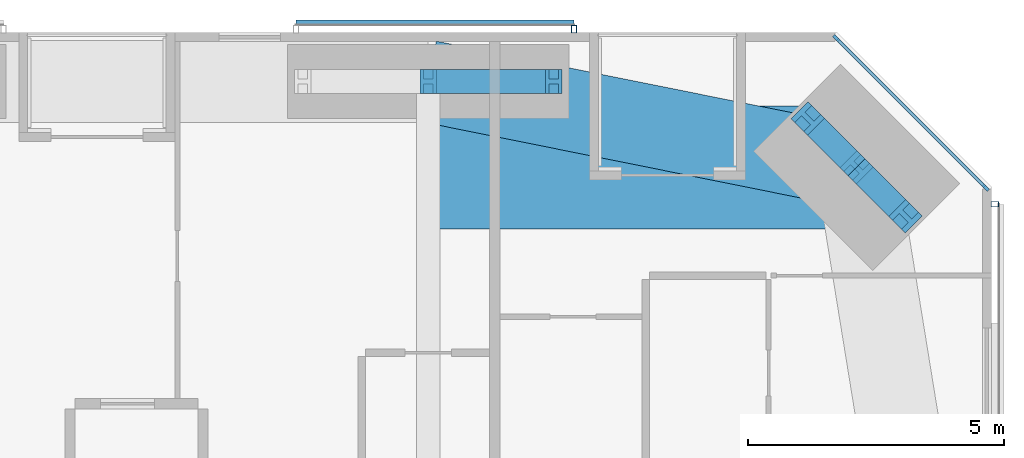
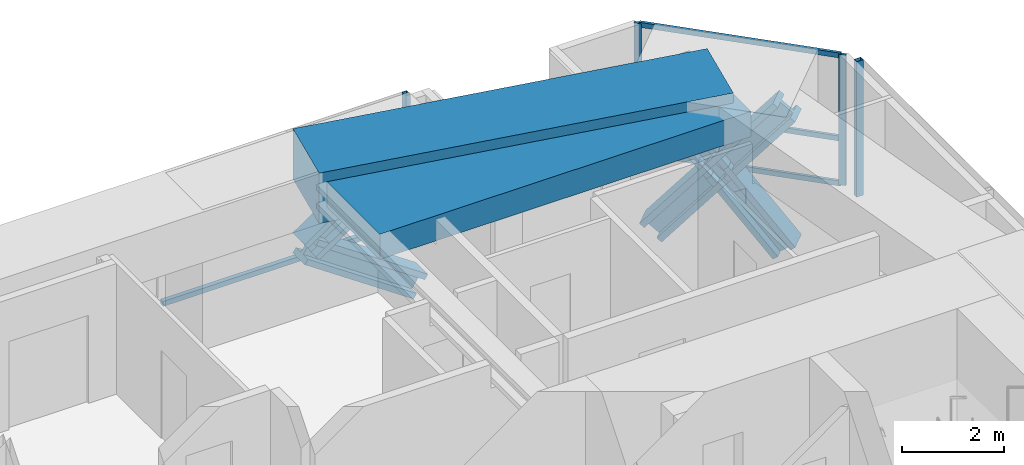
# One storey, part 15 of 24: 14 members, 2 beams, 3 elements without a shape of their own.
"""IFC4 building model written with IfcOpenShell, lengths in metres."""

import ifcopenshell
import ifcopenshell.guid

model = None  # the IFC model being written
_history = None  # IfcOwnerHistory: only IFC2X3 demands one
_inside = {}  # id of a spatial element -> (the spatial element, [elements in it])
_under = {}  # id of a project, library or spatial element -> (it, [spatial elements below it])
_declared = {}  # id of a project -> (the project, [libraries it declares])
_typed = {}  # id of a type object -> (the type object, [elements of that type])
_made_of = {}  # id of a material, layer set ... -> (it, [elements and type objects made of it])


def new_model(schema):
    """Start an empty IFC model of exactly this schema.

    Asked for "IFC4X3", IfcOpenShell would pick the latest addendum, in which some entities
    have other attributes; the version numbers below select the first issue.
    IFC2X3 requires an IfcOwnerHistory on every rooted entity: one is made here for all.
    """
    global model, _history
    if schema == "IFC4X3":
        model = ifcopenshell.file(schema_version=(4, 3, 0, 0))
    else:
        model = ifcopenshell.file(schema=schema)
    _inside.clear()
    _under.clear()
    _declared.clear()
    _typed.clear()
    _made_of.clear()
    _history = None
    if model.schema == "IFC2X3":
        org = make("IfcOrganization", Name="unknown")
        user = make(
            "IfcPersonAndOrganization",
            ThePerson=make("IfcPerson", FamilyName="unknown"),
            TheOrganization=org,
        )
        app = make(
            "IfcApplication",
            ApplicationDeveloper=org,
            Version="unknown",
            ApplicationFullName="unknown",
            ApplicationIdentifier="unknown",
        )
        _history = make(
            "IfcOwnerHistory",
            OwningUser=user,
            OwningApplication=app,
            ChangeAction="ADDED",
            CreationDate=0,
        )
    return model


def make(cls, **values):
    """One entity of the class cls with the attributes given. An attribute that is None is left unset."""
    return model.create_entity(
        cls, **{name: value for name, value in values.items() if value is not None}
    )


def rooted(cls, **values):
    """An entity with a GlobalId (a new one), such as an element, a storey or a relation."""
    return make(cls, GlobalId=ifcopenshell.guid.new(), OwnerHistory=_history, **values)


def si_unit(unit_type, name, prefix=None):
    """IfcSIUnit, for example si_unit("LENGTHUNIT", "METRE", prefix="MILLI")."""
    return make("IfcSIUnit", UnitType=unit_type, Prefix=prefix, Name=name)


def assignment(units):
    """IfcUnitAssignment: the units of a project."""
    return None if units is None else make("IfcUnitAssignment", Units=units)


def point(xyz):
    """IfcCartesianPoint."""
    return None if xyz is None else make("IfcCartesianPoint", Coordinates=xyz)


def direction(xyz):
    """IfcDirection."""
    return None if xyz is None else make("IfcDirection", DirectionRatios=xyz)


def frame(location, z_axis=None, x_axis=None):
    """IfcAxis2Placement3D, a coordinate frame: its origin and axes. An axis left out is left unset."""
    return make(
        "IfcAxis2Placement3D",
        Location=point(location),
        Axis=direction(z_axis),
        RefDirection=direction(x_axis),
    )


def frame_2d(location, x_axis=None):
    """IfcAxis2Placement2D, a coordinate frame in the plane: its origin and x axis."""
    return make(
        "IfcAxis2Placement2D", Location=point(location), RefDirection=direction(x_axis)
    )


def origin():
    """The frame at (0, 0, 0) with its axes left unset."""
    return frame((0.0, 0.0, 0.0))


def origin_2d():
    """The frame at (0, 0) in the plane with its x axis left unset."""
    return frame_2d((0.0, 0.0))


def place(relative_to, where):
    """IfcLocalPlacement: puts the frame where relative to a parent placement (None: the world)."""
    return make(
        "IfcLocalPlacement", PlacementRelTo=relative_to, RelativePlacement=where
    )


def context(
    kind, dimensions, precision=None, world=None, true_north=None, identifier=None
):
    """IfcGeometricRepresentationContext, for example the 3D "Model" context."""
    return make(
        "IfcGeometricRepresentationContext",
        ContextIdentifier=identifier,
        ContextType=kind,
        CoordinateSpaceDimension=dimensions,
        Precision=precision,
        WorldCoordinateSystem=world,
        TrueNorth=true_north,
    )


def subcontext(parent, identifier, kind, view, scale=None):
    """IfcGeometricRepresentationSubContext, for example "Body" below "Model"."""
    return make(
        "IfcGeometricRepresentationSubContext",
        ContextIdentifier=identifier,
        ContextType=kind,
        ParentContext=parent,
        TargetScale=scale,
        TargetView=view,
    )


def project(units=None, contexts=None):
    """IfcProject with its units and contexts."""
    return rooted(
        "IfcProject",
        Name="project",
        RepresentationContexts=contexts,
        UnitsInContext=assignment(units),
    )


def spatial(cls, under=None, at=None, **own):
    """A site, building, storey or space (cls), placed at a placement, below another one or the project."""
    s = rooted(cls, ObjectPlacement=at, **own)
    if under is not None:
        _under.setdefault(under.id(), (under, []))[1].append(s)
    return s


def profile(cls, at=None, kind="AREA", **sizes):
    """A parametric profile (cls). Its sizes go by their IFC names, for example OverallWidth=200.0."""
    return make(cls, ProfileType=kind, Position=at, **sizes)


def rectangle(**sizes):
    """IfcRectangleProfileDef."""
    return profile("IfcRectangleProfileDef", **sizes)


def hollow_rectangle(**sizes):
    """IfcRectangleHollowProfileDef."""
    return profile("IfcRectangleHollowProfileDef", **sizes)


def i_section(**sizes):
    """IfcIShapeProfileDef."""
    return profile("IfcIShapeProfileDef", **sizes)


def extrude(swept, where, along, depth):
    """IfcExtrudedAreaSolid: the profile swept, set in the frame where, extruded along a direction by depth."""
    return make(
        "IfcExtrudedAreaSolid",
        SweptArea=swept,
        Position=where,
        ExtrudedDirection=direction(along),
        Depth=depth,
    )


def shape(context_of_items, identifier, shape_type, items):
    """IfcShapeRepresentation: the items that make up one representation, for example the "Body"."""
    return make(
        "IfcShapeRepresentation",
        ContextOfItems=context_of_items,
        RepresentationIdentifier=identifier,
        RepresentationType=shape_type,
        Items=items,
    )


def material(Name=None, Category=None):
    """IfcMaterial."""
    return make("IfcMaterial", Name=Name, Category=Category)


def material_profile(
    of_material, cross_section, Name=None, Category=None, Priority=None
):
    """IfcMaterialProfile: a cross section and its material."""
    return make(
        "IfcMaterialProfile",
        Name=Name,
        Material=of_material,
        Profile=cross_section,
        Priority=Priority,
        Category=Category,
    )


def profile_set(profiles, Name=None, composite=None):
    """IfcMaterialProfileSet."""
    return make(
        "IfcMaterialProfileSet",
        Name=Name,
        MaterialProfiles=profiles,
        CompositeProfile=composite,
    )


def made_of(thing, what):
    """Note that an element or type object is made of a material, layer set ...; save() writes the relation."""
    if what is not None:
        _made_of.setdefault(what.id(), (what, []))[1].append(thing)
    return thing


def type_object(cls, material=None, **own):
    """A type object (cls), such as IfcWallType, which elements share."""
    return made_of(rooted(cls, **own), material)


def element(
    cls,
    number,
    at=None,
    inside=None,
    cuts=None,
    type_object=None,
    material=None,
    context=None,
    identifier="Body",
    shape_type=None,
    held_by="IfcProductDefinitionShape",
    body=None,
    shapes=None,
    **own,
):
    """One element of the class cls, such as IfcWall. Its Tag is "e" and its number.

    at: its placement. inside: the storey or other place that contains it. cuts: it is an
    opening in that element (IfcRelVoidsElement). A single representation is given by context,
    identifier, shape_type and body (its items); several are given by shapes. held_by: the class
    of the entity that holds the representations. save() writes the other relations.
    """
    e = rooted(cls, Tag="e%d" % number, ObjectPlacement=at, **own)
    if body is not None:
        shapes = [shape(context, identifier, shape_type, body)]
    if shapes is not None:
        e.Representation = make(held_by, Representations=shapes)
    if inside is not None:
        _inside.setdefault(inside.id(), (inside, []))[1].append(e)
    if cuts is not None:
        rooted(
            "IfcRelVoidsElement", RelatingBuildingElement=cuts, RelatedOpeningElement=e
        )
    if type_object is not None:
        _typed.setdefault(type_object.id(), (type_object, []))[1].append(e)
    return made_of(e, material)


def aggregate(whole, parts):
    """IfcRelAggregates: a whole, such as a stair, and the parts it consists of."""
    return rooted("IfcRelAggregates", RelatingObject=whole, RelatedObjects=parts)


def save(model, path):
    """Write the relations noted so far, then the file.

    IfcRelAggregates (storeys below a building ...), IfcRelContainedInSpatialStructure (elements
    in a storey), IfcRelDefinesByType, IfcRelAssociatesMaterial and IfcRelDeclares: one each for
    every whole, place, type object, material and project.
    """
    for whole, parts in _under.values():
        aggregate(whole, parts)
    for where, things in _inside.values():
        rooted(
            "IfcRelContainedInSpatialStructure",
            RelatedElements=things,
            RelatingStructure=where,
        )
    for kind, things in _typed.values():
        rooted("IfcRelDefinesByType", RelatedObjects=things, RelatingType=kind)
    for what, things in _made_of.values():
        rooted("IfcRelAssociatesMaterial", RelatedObjects=things, RelatingMaterial=what)
    for by, libraries in _declared.values():
        rooted("IfcRelDeclares", RelatingContext=by, RelatedDefinitions=libraries)
    model.write(path)


model = new_model("IFC4")

# Units and contexts
model_context = context("Model", 3, precision=1e-05, world=origin(), true_north=direction((0.0, 1.0)))
body_context = subcontext(model_context, "Body", "Model", "MODEL_VIEW")
ifc_project = project(units=[si_unit("LENGTHUNIT", "METRE"), si_unit("AREAUNIT", "SQUARE_METRE"), si_unit("VOLUMEUNIT", "CUBIC_METRE"), si_unit("PLANEANGLEUNIT", "RADIAN"), si_unit("MASSUNIT", "GRAM", prefix="KILO")], contexts=[model_context])

# Site, building, storey
site_placement = place(None, origin())
site = spatial("IfcSite", under=ifc_project, at=site_placement, CompositionType="ELEMENT")
building_placement = place(site_placement, origin())
building = spatial("IfcBuilding", under=site, at=building_placement, Name="Jalousie Tower", CompositionType="ELEMENT")
storey_placement = place(building_placement, frame((0.0, 0.0, 51.14990234375)))
storey = spatial("IfcBuildingStorey", under=building, at=storey_placement, Name="L13", CompositionType="ELEMENT", Elevation=51.14990234375)

# Curtain wall, members
ifc_material_1 = material(Name="Aluminium curtain wall", Category="aluminium")
curtain_wall_type_1 = type_object("IfcCurtainWallType", Name="CORNER WINDOW WALL", PredefinedType="USERDEFINED", material=ifc_material_1)
curtain_wall_1_placement = place(storey_placement, origin())
curtain_wall_1 = element("IfcCurtainWall", 1, at=curtain_wall_1_placement, inside=storey, type_object=curtain_wall_type_1, Name="Corner Window Wall L13 4", ObjectType="CORNER WINDOW WALL", PredefinedType="USERDEFINED")
ifc_material_2 = material(Name="Aluminium mullion", Category="aluminium")
ifc_material_profile_1 = material_profile(ifc_material_2, rectangle(XDim=0.06005859375, YDim=0.14990234375, at=origin_2d()), Name="MULLION 60x150")
ifc_profile_set_1 = profile_set([ifc_material_profile_1], Name="Aluminium mullion")
member_type_1 = type_object("IfcMemberType", Name="CORNER WINDOW WALL MULLION", PredefinedType="MULLION", material=ifc_profile_set_1)
member_1_placement = place(storey_placement, frame((45.891357421875, 34.969970703125, 0.0), z_axis=(0.0, 0.0, 1.0), x_axis=(-0.707106781187, -0.707106781187, 0.0)))
member_1 = element("IfcMember", 2, at=member_1_placement, type_object=member_type_1, Name="CW-C mullion 1", PredefinedType="MULLION", context=body_context, shape_type="SweptSolid", body=[
    extrude(rectangle(XDim=0.06005859375, YDim=0.14990234375, at=origin_2d()), origin(), (0.0, 0.0, 1.0), 3.110107421875),
])
member_2_placement = place(storey_placement, frame((42.969970703125, 37.891357421875, 0.0), z_axis=(0.0, 0.0, 1.0), x_axis=(-0.707106781187, -0.707106781187, 0.0)))
member_2 = element("IfcMember", 3, at=member_2_placement, type_object=member_type_1, Name="CW-C mullion 2", PredefinedType="MULLION", context=body_context, shape_type="SweptSolid", body=[
    extrude(rectangle(XDim=0.06005859375, YDim=0.14990234375, at=origin_2d()), origin(), (0.0, 0.0, 1.0), 3.110107421875),
])
ifc_material_3 = material(Name="Aluminium transom", Category="aluminium")
ifc_material_profile_2 = material_profile(ifc_material_3, rectangle(XDim=0.06005859375, YDim=0.1201171875, at=origin_2d()), Name="TRANSOM 60x120")
ifc_profile_set_2 = profile_set([ifc_material_profile_2], Name="Aluminium transom")
member_type_2 = type_object("IfcMemberType", Name="CORNER WINDOW WALL TRANSOM", PredefinedType="USERDEFINED", material=ifc_profile_set_2)
member_3_placement = place(storey_placement, frame((45.8701171875, 34.9912109375, 0.030029296875), z_axis=(-0.707106781187, 0.707106781187, 0.0), x_axis=(-0.707106781187, -0.707106781187, 0.0)))
member_3 = element("IfcMember", 4, at=member_3_placement, type_object=member_type_2, Name="CW-C transom 1.1", ObjectType="TRANSOM", PredefinedType="USERDEFINED", context=body_context, shape_type="SweptSolid", body=[
    extrude(rectangle(XDim=0.06005859375, YDim=0.1201171875, at=origin_2d()), origin(), (0.0, 0.0, 1.0), 4.0712890625),
])
member_4_placement = place(storey_placement, frame((45.8701171875, 34.9912109375, 1.10009765625), z_axis=(-0.707106781187, 0.707106781187, 0.0), x_axis=(-0.707106781187, -0.707106781187, 0.0)))
member_4 = element("IfcMember", 5, at=member_4_placement, type_object=member_type_2, Name="CW-C transom 1.2", ObjectType="TRANSOM", PredefinedType="USERDEFINED", context=body_context, shape_type="SweptSolid", body=[
    extrude(rectangle(XDim=0.06005859375, YDim=0.1201171875, at=origin_2d()), origin(), (0.0, 0.0, 1.0), 4.0712890625),
])
member_5_placement = place(storey_placement, frame((45.8701171875, 34.9912109375, 3.080078125), z_axis=(-0.707106781187, 0.707106781187, 0.0), x_axis=(-0.707106781187, -0.707106781187, 0.0)))
member_5 = element("IfcMember", 6, at=member_5_placement, type_object=member_type_2, Name="CW-C transom 1.3", ObjectType="TRANSOM", PredefinedType="USERDEFINED", context=body_context, shape_type="SweptSolid", body=[
    extrude(rectangle(XDim=0.06005859375, YDim=0.1201171875, at=origin_2d()), origin(), (0.0, 0.0, 1.0), 4.0712890625),
])
aggregate(curtain_wall_1, [member_1, member_2, member_3, member_4, member_5])

# Members
ifc_material_4 = material(Name="Steel ASTM A992 Grade 50", Category="steel")
ifc_material_profile_3 = material_profile(ifc_material_4, i_section(OverallWidth=0.472412109375, OverallDepth=0.5791015625, WebThickness=0.094970703125, FlangeThickness=0.1298828125, at=origin_2d()), Name="W14X808")
ifc_profile_set_3 = profile_set([ifc_material_profile_3], Name="Steel ASTM A992 Grade 50")
member_type_3 = type_object("IfcMemberType", Name="PERIMETER BRACE W14X808", PredefinedType="BRACE", material=ifc_profile_set_3)
member_6_placement = place(storey_placement, frame((44.3232421875, 34.4140625, -0.599853515625), z_axis=(-0.443718327034, 0.443718327034, 0.778606506849), x_axis=(-0.707106781187, -0.707106781187, 0.0)))
element("IfcMember", 7, at=member_6_placement, inside=storey, type_object=member_type_3, Name="Perimeter brace 08 L13 part 1", PredefinedType="BRACE", context=body_context, shape_type="SweptSolid", body=[
    extrude(i_section(OverallWidth=0.472412109375, OverallDepth=0.5791015625, WebThickness=0.094970703125, FlangeThickness=0.1298828125, at=origin_2d()), origin(), (0.0, 0.0, 1.0), 2.1513671875),
])
member_7_placement = place(storey_placement, frame((43.36865234375, 35.36865234375, 1.0751953125), z_axis=(-0.443757535686, 0.443757535686, 0.778561814529), x_axis=(-0.707106781187, -0.707106781187, 0.0)))
element("IfcMember", 8, at=member_7_placement, inside=storey, type_object=member_type_3, Name="Perimeter brace 08 L13 part 2", PredefinedType="BRACE", context=body_context, shape_type="SweptSolid", body=[
    extrude(i_section(OverallWidth=0.472412109375, OverallDepth=0.5791015625, WebThickness=0.094970703125, FlangeThickness=0.1298828125, at=origin_2d()), origin(), (0.0, 0.0, 1.0), 2.151123046875),
])
member_8_placement = place(storey_placement, frame((42.4140625, 36.3232421875, -0.599853515625), z_axis=(0.443718327034, -0.443718327034, 0.778606506849), x_axis=(0.707106781187, 0.707106781187, 0.0)))
element("IfcMember", 9, at=member_8_placement, inside=storey, type_object=member_type_3, Name="Perimeter brace 08 L13 part 3", PredefinedType="BRACE", context=body_context, shape_type="SweptSolid", body=[
    extrude(i_section(OverallWidth=0.472412109375, OverallDepth=0.5791015625, WebThickness=0.094970703125, FlangeThickness=0.1298828125, at=origin_2d()), origin(), (0.0, 0.0, 1.0), 2.1513671875),
])
member_9_placement = place(storey_placement, frame((43.36865234375, 35.36865234375, 1.0751953125), z_axis=(0.443757535686, -0.443757535686, 0.778561814529), x_axis=(0.707106781187, 0.707106781187, 0.0)))
element("IfcMember", 10, at=member_9_placement, inside=storey, type_object=member_type_3, Name="Perimeter brace 08 L13 part 4", PredefinedType="BRACE", context=body_context, shape_type="SweptSolid", body=[
    extrude(i_section(OverallWidth=0.472412109375, OverallDepth=0.5791015625, WebThickness=0.094970703125, FlangeThickness=0.1298828125, at=origin_2d()), origin(), (0.0, 0.0, 1.0), 2.151123046875),
])
for number, where, z_axis, x_axis, name in (
    (11, (35.0, 37.050048828125, 1.0751953125), (0.825539243753, 0.0, 0.564344714713), (0.0, 1.0, 0.0), "Perimeter brace 09 L13 part 2"),
    (12, (37.449951171875, 37.050048828125, -0.599853515625), (-0.825500916831, 0.0, 0.564400776321), (0.0, -1.0, 0.0), "Perimeter brace 09 L13 part 3"),
):
    element("IfcMember", number, at=place(storey_placement, frame(where, z_axis=z_axis, x_axis=x_axis)), inside=storey, type_object=member_type_3, Name=name, PredefinedType="BRACE", context=body_context, shape_type="SweptSolid", body=[
        extrude(i_section(OverallWidth=0.472412109375, OverallDepth=0.5791015625, WebThickness=0.094970703125, FlangeThickness=0.1298828125, at=origin_2d()), origin(), (0.0, 0.0, 1.0), 2.9677734375),
    ])

# Beams
ifc_material_5 = material(Name="Concrete f'c 40 MPa", Category="concrete")
ifc_material_profile_4 = material_profile(ifc_material_5, rectangle(XDim=1.60009765625, YDim=1.199951171875, at=origin_2d()), Name="RC 1600x1200")
ifc_profile_set_4 = profile_set([ifc_material_profile_4], Name="Concrete f'c 40 MPa")
beam_type_1 = type_object("IfcBeamType", Name="RC BEAM 1600x1200", PredefinedType="BEAM", material=ifc_profile_set_4)
beam_1_placement = place(storey_placement, frame((43.36865234375, 35.36865234375, 2.75), z_axis=(-0.980407585444, 0.196979609107, 0.0), x_axis=(-0.196979609107, -0.980407585444, 0.0)))
element("IfcBeam", 13, at=beam_1_placement, inside=storey, type_object=beam_type_1, Name="Edge band beam 08-09 under L14", PredefinedType="BEAM", context=body_context, shape_type="SweptSolid", body=[
    extrude(rectangle(XDim=1.60009765625, YDim=1.199951171875, at=origin_2d()), origin(), (0.0, 0.0, 1.0), 8.535888671875),
])
ifc_material_6 = material(Name="Concrete f'c 40 MPa", Category="concrete")
ifc_material_profile_5 = material_profile(ifc_material_6, rectangle(XDim=2.39990234375, YDim=0.60009765625, at=origin_2d()), Name="RC 2400x600")
ifc_profile_set_5 = profile_set([ifc_material_profile_5], Name="Concrete f'c 40 MPa")
beam_type_2 = type_object("IfcBeamType", Name="RC BEAM 2400x600", PredefinedType="BEAM", material=ifc_profile_set_5)
beam_2_placement = place(storey_placement, frame((43.36865234375, 35.36865234375, 2.81005859375), z_axis=(-1.0, 0.0, 0.0), x_axis=(0.0, -1.0, 0.0)))
element("IfcBeam", 14, at=beam_2_placement, inside=storey, type_object=beam_type_2, Name="Floor band beam under L14", PredefinedType="BEAM", context=body_context, shape_type="SweptSolid", body=[
    extrude(rectangle(XDim=2.39990234375, YDim=0.60009765625, at=origin_2d()), origin(), (0.0, 0.0, 1.0), 8.36865234375),
])

# Curtain wall, member
ifc_material_7 = material(Name="Perforated aluminium sheet", Category="aluminium")
curtain_wall_type_2 = type_object("IfcCurtainWallType", Name="SOLAR SCREEN SS-1", PredefinedType="USERDEFINED", material=ifc_material_7)
curtain_wall_2_placement = place(storey_placement, origin())
curtain_wall_2 = element("IfcCurtainWall", 15, at=curtain_wall_2_placement, inside=storey, type_object=curtain_wall_type_2, Name="Solar screen L13", ObjectType="SOLAR SCREEN SS-1", PredefinedType="USERDEFINED")
ifc_material_8 = material(Name="Steel ASTM A500 Grade C", Category="steel")
ifc_material_profile_6 = material_profile(ifc_material_8, hollow_rectangle(XDim=0.1015625, YDim=0.15234375, WallThickness=0.00634765625, at=origin_2d()), Name="HSS6X4X1/4")
ifc_profile_set_6 = profile_set([ifc_material_profile_6], Name="Steel ASTM A500 Grade C")
member_type_4 = type_object("IfcMemberType", Name="SOLAR SCREEN SS-1 MULLION", PredefinedType="MULLION", material=ifc_profile_set_6)
member_10_placement = place(storey_placement, frame((46.0712890625, 34.648681640625, -0.119873046875), z_axis=(0.0, 0.0, 1.0), x_axis=(0.0, 1.0, 0.0)))
member_10 = element("IfcMember", 16, at=member_10_placement, type_object=member_type_4, Name="SS1 post 4", PredefinedType="MULLION", context=body_context, shape_type="SweptSolid", body=[
    extrude(hollow_rectangle(XDim=0.1015625, YDim=0.15234375, WallThickness=0.00634765625, at=origin_2d()), origin(), (0.0, 0.0, 1.0), 3.22998046875),
])
aggregate(curtain_wall_2, [member_10])

# Curtain wall, members
curtain_wall_3_placement = place(storey_placement, origin())
curtain_wall_3 = element("IfcCurtainWall", 17, at=curtain_wall_3_placement, inside=storey, type_object=curtain_wall_type_2, Name="Solar screen L13", ObjectType="SOLAR SCREEN SS-1", PredefinedType="USERDEFINED")
member_11_placement = place(storey_placement, frame((37.8486328125, 38.0712890625, -0.119873046875), z_axis=(0.0, 0.0, 1.0), x_axis=(-1.0, 0.0, 0.0)))
member_11 = element("IfcMember", 18, at=member_11_placement, type_object=member_type_4, Name="SS1 post 1", PredefinedType="MULLION", context=body_context, shape_type="SweptSolid", body=[
    extrude(hollow_rectangle(XDim=0.1015625, YDim=0.15234375, WallThickness=0.00634765625, at=origin_2d()), origin(), (0.0, 0.0, 1.0), 3.22998046875),
])
ifc_material_9 = material(Name="Extruded aluminium screen rail", Category="aluminium")
ifc_material_profile_7 = material_profile(ifc_material_9, rectangle(XDim=0.1015625, YDim=0.1201171875, at=origin_2d()), Name="RAIL 102x120")
ifc_profile_set_7 = profile_set([ifc_material_profile_7], Name="Extruded aluminium screen rail")
member_type_5 = type_object("IfcMemberType", Name="SOLAR SCREEN SS-1 TRANSOM", PredefinedType="USERDEFINED", material=ifc_profile_set_7)
member_12_placement = place(storey_placement, frame((37.8486328125, 38.1982421875, -0.059814453125), z_axis=(-1.0, 0.0, 0.0), x_axis=(0.0, -1.0, 0.0)))
member_12 = element("IfcMember", 19, at=member_12_placement, type_object=member_type_5, Name="SS1 rail", ObjectType="TRANSOM", PredefinedType="USERDEFINED", context=body_context, shape_type="SweptSolid", body=[
    extrude(rectangle(XDim=0.1015625, YDim=0.1201171875, at=origin_2d()), origin(), (0.0, 0.0, 1.0), 5.43359375),
])
aggregate(curtain_wall_3, [member_11, member_12])

save(model, "model.ifc")
